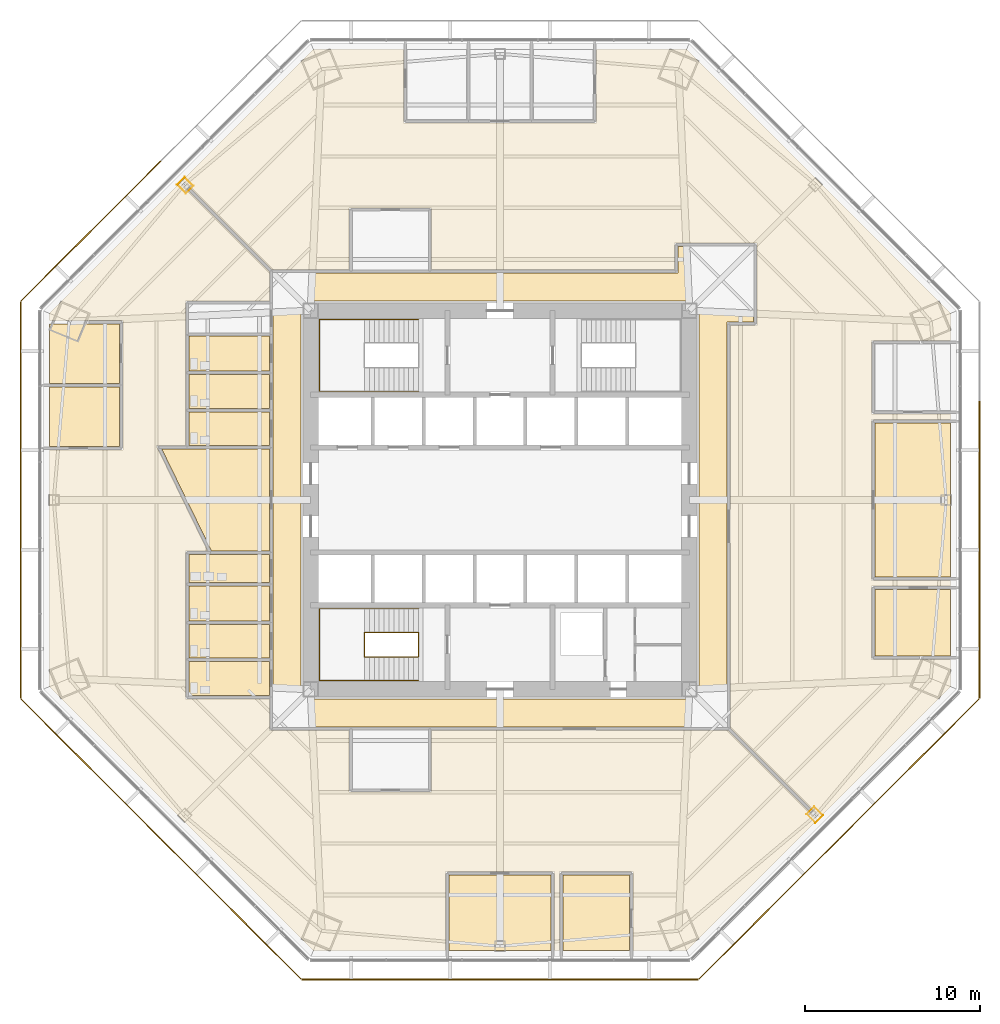
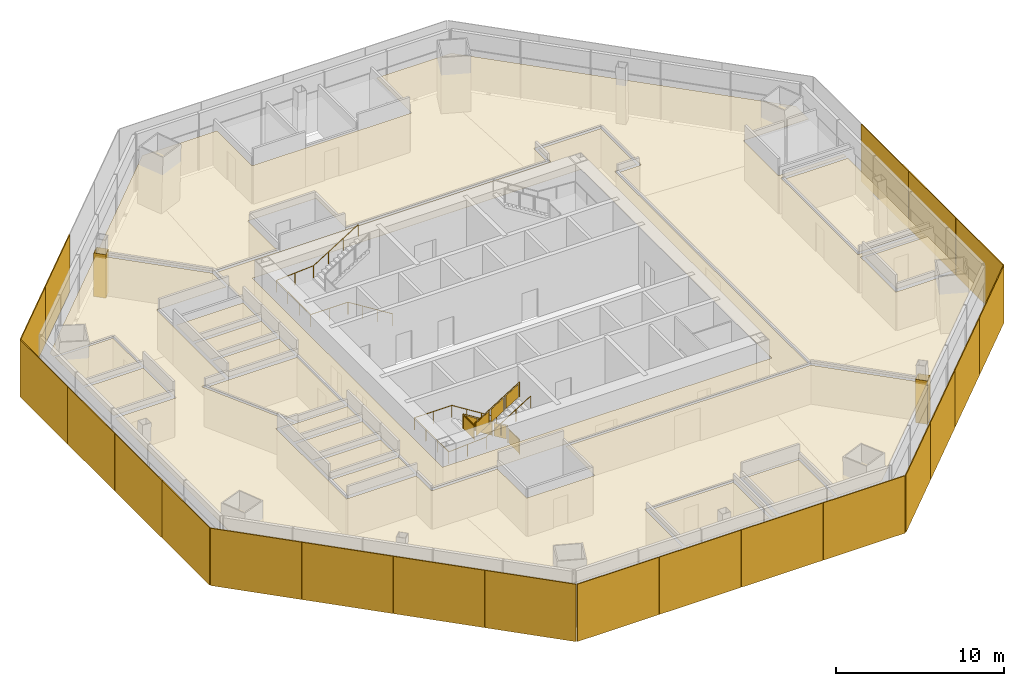
# One storey, part 13 of 15: 21 shading devices, 19 coverings, 3 railings.
"""IFC4 building model written with IfcOpenShell, lengths in metres."""

from ifc_helpers import new_model, si_unit, direction, frame, origin, origin_2d, place, context, subcontext, project, spatial, polyline, rectangle, circle, outline, extrude, source, transform, mapped, material, layer, layer_set, type_object, type_shapes, element, save


model = new_model("IFC4")

# Units and contexts
model_context = context("Model", 3, precision=1e-05, world=origin(), true_north=direction((0.0, 1.0)))
body_context = subcontext(model_context, "Body", "Model", "MODEL_VIEW")
ifc_project = project(units=[si_unit("LENGTHUNIT", "METRE"), si_unit("AREAUNIT", "SQUARE_METRE"), si_unit("VOLUMEUNIT", "CUBIC_METRE"), si_unit("PLANEANGLEUNIT", "RADIAN"), si_unit("MASSUNIT", "GRAM", prefix="KILO")], contexts=[model_context])

# Site, building, storey
site_placement = place(None, origin())
site = spatial("IfcSite", under=ifc_project, at=site_placement, CompositionType="ELEMENT")
building_placement = place(site_placement, origin())
building = spatial("IfcBuilding", under=site, at=building_placement, Name="Mashrafa Tower", CompositionType="ELEMENT")
storey_placement = place(building_placement, frame((0.0, 0.0, 62.39990234375)))
storey = spatial("IfcBuildingStorey", under=building, at=storey_placement, Name="L13", CompositionType="ELEMENT", Elevation=62.39990234375)

# Coverings
ifc_material_1 = material(Name="Gypsum board")
ifc_layer_1 = layer(ifc_material_1, 0.014892578125)
ifc_layer_set_1 = layer_set([ifc_layer_1], Name="Column casing plasterboard 15")
covering_type_1 = type_object("IfcCoveringType", Name="Column casing plasterboard 15", PredefinedType="CLADDING", material=ifc_layer_set_1)
covering_1_placement = place(storey_placement, origin())
element("IfcCovering", 1, at=covering_1_placement, inside=storey, type_object=covering_type_1, Name="Column casing L13-001", PredefinedType="CLADDING", context=body_context, shape_type="SweptSolid", body=[
    extrude(outline(polyline([(-18.441162109375, 17.99560546875), (-17.99560546875, 18.441162109375), (-17.4658203125, 17.911376953125), (-17.911376953125, 17.4658203125), (-18.441162109375, 17.99560546875)]), holes=[polyline([(-17.4873046875, 17.911376953125), (-17.99560546875, 18.419921875), (-18.419921875, 17.99560546875), (-17.911376953125, 17.4873046875), (-17.4873046875, 17.911376953125)])]), origin(), (0.0, 0.0, 1.0), 3.16650390625),
])
covering_2_placement = place(storey_placement, origin())
element("IfcCovering", 2, at=covering_2_placement, inside=storey, type_object=covering_type_1, Name="Column casing L13-002", PredefinedType="CLADDING", context=body_context, shape_type="SweptSolid", body=[
    extrude(outline(polyline([(17.4658203125, -17.911376953125), (17.911376953125, -17.4658203125), (18.441162109375, -17.99560546875), (17.99560546875, -18.441162109375), (17.4658203125, -17.911376953125)]), holes=[polyline([(18.419921875, -17.99560546875), (17.911376953125, -17.4873046875), (17.4873046875, -17.911376953125), (17.99560546875, -18.419921875), (18.419921875, -17.99560546875)])]), origin(), (0.0, 0.0, 1.0), 3.16650390625),
])

# Railings
ifc_material_2 = material(Name="Steel guard with glass infill", Category="steel")
railing_type_1 = type_object("IfcRailingType", Name="Stair guard 1100", PredefinedType="GUARDRAIL", material=ifc_material_2)
railing_1_placement = place(storey_placement, frame((-4.64990234375, -8.949951171875, 0.0)))
element("IfcRailing", 3, at=railing_1_placement, inside=storey, type_object=railing_type_1, Name="Stair S3 guard L13", PredefinedType="GUARDRAIL", context=body_context, shape_type="SweptSolid", body=[
    extrude(circle(Radius=0.02392578125, at=origin_2d()), frame((0.0, 0.0, 1.076171875), z_axis=(0.0, 1.0, 0.0), x_axis=(-1.0, 0.0, 0.0)), (0.0, 0.0, 1.0), 1.39990234375),
    extrude(circle(Radius=0.02392578125, at=origin_2d()), frame((0.0, 1.39990234375, 1.076171875), z_axis=(0.0, 0.0, 1.0), x_axis=(1.0, 0.0, 0.0)), (0.0, 0.0, 1.0), 0.175048828125),
    extrude(circle(Radius=0.02392578125, at=origin_2d()), frame((0.0, 1.39990234375, 1.2509765625), z_axis=(-0.847998304005, 0.0, 0.529998940003), x_axis=(0.0, -1.0, 0.0)), (0.0, 0.0, 1.0), 3.632080078125),
    extrude(circle(Radius=0.02392578125, at=origin_2d()), frame((-3.080078125, 1.39990234375, 3.17626953125), z_axis=(0.0, -1.0, 0.0), x_axis=(1.0, 0.0, 0.0)), (0.0, 0.0, 1.0), 1.39990234375),
    extrude(circle(Radius=0.02392578125, at=origin_2d()), frame((-3.080078125, 0.0, 3.17626953125), z_axis=(0.0, 0.0, 1.0), x_axis=(1.0, 0.0, 0.0)), (0.0, 0.0, 1.0), 0.175048828125),
    extrude(circle(Radius=0.02392578125, at=origin_2d()), frame((-3.080078125, 0.0, 3.35107421875), z_axis=(0.847998304005, 0.0, 0.529998940003), x_axis=(0.0, 1.0, 0.0)), (0.0, 0.0, 1.0), 3.632080078125),
    extrude(circle(Radius=0.02099609375, at=origin_2d()), origin(), (0.0, 0.0, 1.0), 1.052001953125),
    extrude(circle(Radius=0.02099609375, at=origin_2d()), frame((0.0, 1.39990234375, 0.0)), (0.0, 0.0, 1.0), 1.052001953125),
    extrude(circle(Radius=0.02099609375, at=origin_2d()), frame((0.0, 1.39990234375, 0.175048828125)), (0.0, 0.0, 1.0), 1.052001953125),
    extrude(circle(Radius=0.02099609375, at=origin_2d()), frame((-1.026611328125, 1.39990234375, 0.816650390625)), (0.0, 0.0, 1.0), 1.052001953125),
    extrude(circle(Radius=0.02099609375, at=origin_2d()), frame((-2.053466796875, 1.39990234375, 1.45849609375)), (0.0, 0.0, 1.0), 1.052001953125),
    extrude(circle(Radius=0.02099609375, at=origin_2d()), frame((-3.080078125, 1.39990234375, 2.10009765625)), (0.0, 0.0, 1.0), 1.052001953125),
    extrude(circle(Radius=0.02099609375, at=origin_2d()), frame((-3.080078125, 0.0, 2.10009765625)), (0.0, 0.0, 1.0), 1.052001953125),
    extrude(circle(Radius=0.02099609375, at=origin_2d()), frame((-3.080078125, 0.0, 2.275146484375)), (0.0, 0.0, 1.0), 1.052001953125),
    extrude(circle(Radius=0.02099609375, at=origin_2d()), frame((-2.053466796875, 0.0, 2.916748046875)), (0.0, 0.0, 1.0), 1.052001953125),
    extrude(circle(Radius=0.02099609375, at=origin_2d()), frame((-1.026611328125, 0.0, 3.55859375)), (0.0, 0.0, 1.0), 1.052001953125),
    extrude(circle(Radius=0.02099609375, at=origin_2d()), frame((0.0, 0.0, 4.2001953125)), (0.0, 0.0, 1.0), 1.052001953125),
    extrude(outline(polyline([(0.071044921875, 0.050048828125), (1.328857421875, 0.050048828125), (1.328857421875, 1.001953125), (0.071044921875, 1.001953125), (0.071044921875, 0.050048828125)])), frame((0.006103515625, 0.0, 0.0), z_axis=(1.0, 0.0, 0.0), x_axis=(0.0, 1.0, 0.0)), (0.0, 0.0, 1.0), 0.011962890625),
    extrude(outline(polyline([(0.071044921875, 0.094482421875), (0.955810546875, 0.647216796875), (0.955810546875, 1.599365234375), (0.071044921875, 1.04638671875), (0.071044921875, 0.094482421875)])), frame((0.0, 1.406005859375, 0.175048828125), z_axis=(0.0, 1.0, 0.0), x_axis=(-1.0, 0.0, 0.0)), (0.0, 0.0, 1.0), 0.011962890625),
    extrude(outline(polyline([(1.09765625, 0.736083984375), (1.982421875, 1.2890625), (1.982421875, 2.240966796875), (1.09765625, 1.68798828125), (1.09765625, 0.736083984375)])), frame((0.0, 1.406005859375, 0.175048828125), z_axis=(0.0, 1.0, 0.0), x_axis=(-1.0, 0.0, 0.0)), (0.0, 0.0, 1.0), 0.011962890625),
    extrude(outline(polyline([(2.124267578125, 1.377685546875), (3.009033203125, 1.9306640625), (3.009033203125, 2.882568359375), (2.124267578125, 2.329833984375), (2.124267578125, 1.377685546875)])), frame((0.0, 1.406005859375, 0.175048828125), z_axis=(0.0, 1.0, 0.0), x_axis=(-1.0, 0.0, 0.0)), (0.0, 0.0, 1.0), 0.011962890625),
    extrude(outline(polyline([(0.071044921875, 0.050048828125), (1.328857421875, 0.050048828125), (1.328857421875, 1.001953125), (0.071044921875, 1.001953125), (0.071044921875, 0.050048828125)])), frame((-3.086181640625, 1.39990234375, 2.10009765625), z_axis=(-1.0, 0.0, 0.0), x_axis=(0.0, -1.0, 0.0)), (0.0, 0.0, 1.0), 0.011962890625),
    extrude(outline(polyline([(0.071044921875, 0.094482421875), (0.955810546875, 0.647216796875), (0.955810546875, 1.599365234375), (0.071044921875, 1.04638671875), (0.071044921875, 0.094482421875)])), frame((-3.080078125, -0.006103515625, 2.275146484375), z_axis=(0.0, -1.0, 0.0), x_axis=(1.0, 0.0, 0.0)), (0.0, 0.0, 1.0), 0.011962890625),
    extrude(outline(polyline([(1.09765625, 0.736083984375), (1.982421875, 1.2890625), (1.982421875, 2.240966796875), (1.09765625, 1.68798828125), (1.09765625, 0.736083984375)])), frame((-3.080078125, -0.006103515625, 2.275146484375), z_axis=(0.0, -1.0, 0.0), x_axis=(1.0, 0.0, 0.0)), (0.0, 0.0, 1.0), 0.011962890625),
    extrude(outline(polyline([(2.124267578125, 1.377685546875), (3.009033203125, 1.9306640625), (3.009033203125, 2.882568359375), (2.124267578125, 2.329833984375), (2.124267578125, 1.377685546875)])), frame((-3.080078125, -0.006103515625, 2.275146484375), z_axis=(0.0, -1.0, 0.0), x_axis=(1.0, 0.0, 0.0)), (0.0, 0.0, 1.0), 0.011962890625),
])
ifc_material_3 = material(Name="Steel", Category="steel")
railing_type_2 = type_object("IfcRailingType", Name="Stair handrail 900", PredefinedType="HANDRAIL", material=ifc_material_3)
railing_2_placement = place(storey_placement, frame((-4.64990234375, 6.199951171875, 0.175048828125)))
element("IfcRailing", 4, at=railing_2_placement, inside=storey, type_object=railing_type_2, Name="Stair S1 handrail L13", PredefinedType="HANDRAIL", context=body_context, shape_type="SweptSolid", body=[
    extrude(circle(Radius=0.02392578125, at=origin_2d()), frame((0.0, 0.0, 0.8759765625), z_axis=(-0.847998304005, 0.0, 0.529998940003), x_axis=(0.0, -1.0, 0.0)), (0.0, 0.0, 1.0), 3.632080078125),
    extrude(circle(Radius=0.02392578125, at=origin_2d()), frame((-3.080078125, 0.0, 2.80078125), z_axis=(-1.0, 0.0, 0.0), x_axis=(0.0, -1.0, 0.0)), (0.0, 0.0, 1.0), 2.570068359375),
    extrude(circle(Radius=0.02392578125, at=origin_2d()), frame((-5.650146484375, 0.0, 2.80078125), z_axis=(0.0, 1.0, 0.0), x_axis=(-1.0, 0.0, 0.0)), (0.0, 0.0, 1.0), 4.10009765625),
    extrude(circle(Radius=0.02392578125, at=origin_2d()), frame((-5.650146484375, 4.10009765625, 2.80078125), z_axis=(0.997688514158, 0.0, 0.067953136188), x_axis=(0.0, 1.0, 0.0)), (0.0, 0.0, 1.0), 2.575927734375),
    extrude(circle(Radius=0.02392578125, at=origin_2d()), frame((-3.080078125, 4.10009765625, 2.97607421875), z_axis=(0.847998304005, 0.0, 0.529998940003), x_axis=(0.0, 1.0, 0.0)), (0.0, 0.0, 1.0), 3.632080078125),
    extrude(circle(Radius=0.02099609375, at=origin_2d()), origin(), (0.0, 0.0, 1.0), 0.851806640625),
    extrude(circle(Radius=0.02099609375, at=origin_2d()), frame((-1.026611328125, 0.0, 0.6416015625)), (0.0, 0.0, 1.0), 0.851806640625),
    extrude(circle(Radius=0.02099609375, at=origin_2d()), frame((-2.053466796875, 0.0, 1.283447265625)), (0.0, 0.0, 1.0), 0.851806640625),
    extrude(circle(Radius=0.02099609375, at=origin_2d()), frame((-3.080078125, 0.0, 1.925048828125)), (0.0, 0.0, 1.0), 0.851806640625),
    extrude(circle(Radius=0.02099609375, at=origin_2d()), frame((-4.365234375, 0.0, 1.925048828125)), (0.0, 0.0, 1.0), 0.851806640625),
    extrude(circle(Radius=0.02099609375, at=origin_2d()), frame((-5.650146484375, 0.0, 1.925048828125)), (0.0, 0.0, 1.0), 0.851806640625),
    extrude(circle(Radius=0.02099609375, at=origin_2d()), frame((-5.650146484375, 1.36669921875, 1.925048828125)), (0.0, 0.0, 1.0), 0.851806640625),
    extrude(circle(Radius=0.02099609375, at=origin_2d()), frame((-5.650146484375, 2.7333984375, 1.925048828125)), (0.0, 0.0, 1.0), 0.851806640625),
    extrude(circle(Radius=0.02099609375, at=origin_2d()), frame((-5.650146484375, 4.10009765625, 1.925048828125)), (0.0, 0.0, 1.0), 0.851806640625),
    extrude(circle(Radius=0.02099609375, at=origin_2d()), frame((-4.365234375, 4.10009765625, 2.0126953125)), (0.0, 0.0, 1.0), 0.851806640625),
    extrude(circle(Radius=0.02099609375, at=origin_2d()), frame((-3.080078125, 4.10009765625, 2.10009765625)), (0.0, 0.0, 1.0), 0.851806640625),
    extrude(circle(Radius=0.02099609375, at=origin_2d()), frame((-2.053466796875, 4.10009765625, 2.74169921875)), (0.0, 0.0, 1.0), 0.851806640625),
    extrude(circle(Radius=0.02099609375, at=origin_2d()), frame((-1.026611328125, 4.10009765625, 3.383544921875)), (0.0, 0.0, 1.0), 0.851806640625),
    extrude(circle(Radius=0.02099609375, at=origin_2d()), frame((0.0, 4.10009765625, 4.025146484375)), (0.0, 0.0, 1.0), 0.851806640625),
])
railing_3_placement = place(storey_placement, frame((-4.64990234375, -6.199951171875, 0.175048828125)))
element("IfcRailing", 5, at=railing_3_placement, inside=storey, type_object=railing_type_2, Name="Stair S3 handrail L13", PredefinedType="HANDRAIL", context=body_context, shape_type="SweptSolid", body=[
    extrude(circle(Radius=0.02392578125, at=origin_2d()), frame((0.0, 0.0, 0.8759765625), z_axis=(-0.847998304005, 0.0, 0.529998940003), x_axis=(0.0, -1.0, 0.0)), (0.0, 0.0, 1.0), 3.632080078125),
    extrude(circle(Radius=0.02392578125, at=origin_2d()), frame((-3.080078125, 0.0, 2.80078125), z_axis=(-1.0, 0.0, 0.0), x_axis=(0.0, -1.0, 0.0)), (0.0, 0.0, 1.0), 2.570068359375),
    extrude(circle(Radius=0.02392578125, at=origin_2d()), frame((-5.650146484375, 0.0, 2.80078125), z_axis=(0.0, -1.0, 0.0), x_axis=(1.0, 0.0, 0.0)), (0.0, 0.0, 1.0), 4.10009765625),
    extrude(circle(Radius=0.02392578125, at=origin_2d()), frame((-5.650146484375, -4.10009765625, 2.80078125), z_axis=(0.997688514158, 0.0, 0.067953136188), x_axis=(0.0, 1.0, 0.0)), (0.0, 0.0, 1.0), 2.575927734375),
    extrude(circle(Radius=0.02392578125, at=origin_2d()), frame((-3.080078125, -4.10009765625, 2.97607421875), z_axis=(0.847998304005, 0.0, 0.529998940003), x_axis=(0.0, 1.0, 0.0)), (0.0, 0.0, 1.0), 3.632080078125),
    extrude(circle(Radius=0.02099609375, at=origin_2d()), origin(), (0.0, 0.0, 1.0), 0.851806640625),
    extrude(circle(Radius=0.02099609375, at=origin_2d()), frame((-1.026611328125, 0.0, 0.6416015625)), (0.0, 0.0, 1.0), 0.851806640625),
    extrude(circle(Radius=0.02099609375, at=origin_2d()), frame((-2.053466796875, 0.0, 1.283447265625)), (0.0, 0.0, 1.0), 0.851806640625),
    extrude(circle(Radius=0.02099609375, at=origin_2d()), frame((-3.080078125, 0.0, 1.925048828125)), (0.0, 0.0, 1.0), 0.851806640625),
    extrude(circle(Radius=0.02099609375, at=origin_2d()), frame((-4.365234375, 0.0, 1.925048828125)), (0.0, 0.0, 1.0), 0.851806640625),
    extrude(circle(Radius=0.02099609375, at=origin_2d()), frame((-5.650146484375, 0.0, 1.925048828125)), (0.0, 0.0, 1.0), 0.851806640625),
    extrude(circle(Radius=0.02099609375, at=origin_2d()), frame((-5.650146484375, -1.36669921875, 1.925048828125)), (0.0, 0.0, 1.0), 0.851806640625),
    extrude(circle(Radius=0.02099609375, at=origin_2d()), frame((-5.650146484375, -2.7333984375, 1.925048828125)), (0.0, 0.0, 1.0), 0.851806640625),
    extrude(circle(Radius=0.02099609375, at=origin_2d()), frame((-5.650146484375, -4.10009765625, 1.925048828125)), (0.0, 0.0, 1.0), 0.851806640625),
    extrude(circle(Radius=0.02099609375, at=origin_2d()), frame((-4.365234375, -4.10009765625, 2.0126953125)), (0.0, 0.0, 1.0), 0.851806640625),
    extrude(circle(Radius=0.02099609375, at=origin_2d()), frame((-3.080078125, -4.10009765625, 2.10009765625)), (0.0, 0.0, 1.0), 0.851806640625),
    extrude(circle(Radius=0.02099609375, at=origin_2d()), frame((-2.053466796875, -4.10009765625, 2.74169921875)), (0.0, 0.0, 1.0), 0.851806640625),
    extrude(circle(Radius=0.02099609375, at=origin_2d()), frame((-1.026611328125, -4.10009765625, 3.383544921875)), (0.0, 0.0, 1.0), 0.851806640625),
    extrude(circle(Radius=0.02099609375, at=origin_2d()), frame((0.0, -4.10009765625, 4.025146484375)), (0.0, 0.0, 1.0), 0.851806640625),
])

# Coverings
ifc_material_4 = material(Name="Mineral fibre tile on suspension grid")
ifc_layer_2 = layer(ifc_material_4, 0.014892578125)
ifc_layer_set_2 = layer_set([ifc_layer_2], Name="Suspended ceiling mineral tile 15")
covering_type_2 = type_object("IfcCoveringType", Name="Suspended ceiling mineral tile 15", PredefinedType="CEILING", material=ifc_layer_set_2)
covering_3_placement = place(storey_placement, frame((0.0, 0.0, 2.85009765625)))
element("IfcCovering", 6, at=covering_3_placement, inside=storey, type_object=covering_type_2, Name="Ceiling Office Corridor L13", PredefinedType="CEILING", context=body_context, shape_type="SweptSolid", body=[
    extrude(outline(polyline([(-12.949951171875, -12.949951171875), (-12.949951171875, 12.949951171875), (10.14990234375, 12.949951171875), (10.14990234375, 14.449951171875), (14.449951171875, 14.449951171875), (14.449951171875, 10.14990234375), (12.949951171875, 10.14990234375), (12.949951171875, -12.949951171875), (-12.949951171875, -12.949951171875)]), holes=[polyline([(11.35009765625, 11.35009765625), (-11.35009765625, 11.35009765625), (-11.35009765625, -11.35009765625), (11.35009765625, -11.35009765625), (11.35009765625, 11.35009765625)])]), origin(), (0.0, 0.0, 1.0), 0.014892578125),
])
covering_4_placement = place(storey_placement, frame((0.0, 0.0, 2.900146484375)))
element("IfcCovering", 7, at=covering_4_placement, inside=storey, type_object=covering_type_2, Name="Ceiling WC Female L13 N", PredefinedType="CEILING", context=body_context, shape_type="SweptSolid", body=[
    extrude(outline(polyline([(-17.75, 3.10009765625), (-17.75, 5.02490234375), (-13.14990234375, 5.02490234375), (-13.14990234375, 3.10009765625), (-17.75, 3.10009765625)])), origin(), (0.0, 0.0, 1.0), 0.014892578125),
])
covering_5_placement = place(storey_placement, frame((0.0, 0.0, 2.900146484375)))
element("IfcCovering", 8, at=covering_5_placement, inside=storey, type_object=covering_type_2, Name="Ceiling WC Male L13 N", PredefinedType="CEILING", context=body_context, shape_type="SweptSolid", body=[
    extrude(outline(polyline([(-17.75, 5.22509765625), (-17.75, 7.14990234375), (-13.14990234375, 7.14990234375), (-13.14990234375, 5.22509765625), (-17.75, 5.22509765625)])), origin(), (0.0, 0.0, 1.0), 0.014892578125),
])
covering_6_placement = place(storey_placement, frame((0.0, 0.0, 2.900146484375)))
element("IfcCovering", 9, at=covering_6_placement, inside=storey, type_object=covering_type_2, Name="Ceiling Accessible WC L13 N", PredefinedType="CEILING", context=body_context, shape_type="SweptSolid", body=[
    extrude(outline(polyline([(-17.75, 7.35009765625), (-17.75, 9.35009765625), (-13.14990234375, 9.35009765625), (-13.14990234375, 7.35009765625), (-17.75, 7.35009765625)])), origin(), (0.0, 0.0, 1.0), 0.014892578125),
])
covering_7_placement = place(storey_placement, frame((0.0, 0.0, 2.900146484375)))
element("IfcCovering", 10, at=covering_7_placement, inside=storey, type_object=covering_type_2, Name="Ceiling WC Female L13 S", PredefinedType="CEILING", context=body_context, shape_type="SweptSolid", body=[
    extrude(outline(polyline([(-17.75, -11.14990234375), (-17.75, -9.22509765625), (-13.14990234375, -9.22509765625), (-13.14990234375, -11.14990234375), (-17.75, -11.14990234375)])), origin(), (0.0, 0.0, 1.0), 0.014892578125),
])
covering_8_placement = place(storey_placement, frame((0.0, 0.0, 2.900146484375)))
element("IfcCovering", 11, at=covering_8_placement, inside=storey, type_object=covering_type_2, Name="Ceiling WC Male L13 S", PredefinedType="CEILING", context=body_context, shape_type="SweptSolid", body=[
    extrude(outline(polyline([(-17.75, -9.02490234375), (-17.75, -7.10009765625), (-13.14990234375, -7.10009765625), (-13.14990234375, -9.02490234375), (-17.75, -9.02490234375)])), origin(), (0.0, 0.0, 1.0), 0.014892578125),
])
covering_9_placement = place(storey_placement, frame((0.0, 0.0, 2.900146484375)))
element("IfcCovering", 12, at=covering_9_placement, inside=storey, type_object=covering_type_2, Name="Ceiling Accessible WC L13 S", PredefinedType="CEILING", context=body_context, shape_type="SweptSolid", body=[
    extrude(outline(polyline([(-17.75, -6.89990234375), (-17.75, -4.89990234375), (-13.14990234375, -4.89990234375), (-13.14990234375, -6.89990234375), (-17.75, -6.89990234375)])), origin(), (0.0, 0.0, 1.0), 0.014892578125),
])
covering_10_placement = place(storey_placement, frame((0.0, 0.0, 2.900146484375)))
element("IfcCovering", 13, at=covering_10_placement, inside=storey, type_object=covering_type_2, Name="Ceiling Ablution Room L13 S", PredefinedType="CEILING", context=body_context, shape_type="SweptSolid", body=[
    extrude(outline(polyline([(-17.75, -4.699951171875), (-17.75, -3.10009765625), (-13.14990234375, -3.10009765625), (-13.14990234375, -4.699951171875), (-17.75, -4.699951171875)])), origin(), (0.0, 0.0, 1.0), 0.014892578125),
])
covering_11_placement = place(storey_placement, frame((0.0, 0.0, 2.85009765625)))
element("IfcCovering", 14, at=covering_11_placement, inside=storey, type_object=covering_type_2, Name="Ceiling Musallah Prayer Room 13", PredefinedType="CEILING", context=body_context, shape_type="SweptSolid", body=[
    extrude(outline(polyline([(-16.461181640625, -2.89990234375), (-19.2900390625, 2.89990234375), (-13.14990234375, 2.89990234375), (-13.14990234375, -2.89990234375), (-16.461181640625, -2.89990234375)])), origin(), (0.0, 0.0, 1.0), 0.014892578125),
])
covering_12_placement = place(storey_placement, frame((0.0, 0.0, 2.85009765625)))
element("IfcCovering", 15, at=covering_12_placement, inside=storey, type_object=covering_type_2, Name="Ceiling Meeting Room 13-A", PredefinedType="CEILING", context=body_context, shape_type="SweptSolid", body=[
    extrude(outline(polyline([(21.3994140625, 4.39990234375), (25.699462890625, 4.39990234375), (25.699462890625, -4.39990234375), (21.3994140625, -4.39990234375), (21.3994140625, 4.39990234375)])), origin(), (0.0, 0.0, 1.0), 0.014892578125),
])
covering_13_placement = place(storey_placement, frame((0.0, 0.0, 2.85009765625)))
element("IfcCovering", 16, at=covering_13_placement, inside=storey, type_object=covering_type_2, Name="Ceiling Meeting Room 13-B", PredefinedType="CEILING", context=body_context, shape_type="SweptSolid", body=[
    extrude(outline(polyline([(-2.89990234375, -21.3994140625), (2.89990234375, -21.3994140625), (2.89990234375, -25.699462890625), (-2.89990234375, -25.699462890625), (-2.89990234375, -21.3994140625)])), origin(), (0.0, 0.0, 1.0), 0.014892578125),
])
covering_14_placement = place(storey_placement, frame((0.0, 0.0, 2.900146484375)))
element("IfcCovering", 17, at=covering_14_placement, inside=storey, type_object=covering_type_2, Name="Ceiling Office 13-B-1", PredefinedType="CEILING", context=body_context, shape_type="SweptSolid", body=[
    extrude(outline(polyline([(-21.699462890625, 10.052978515625), (-21.699462890625, 6.653076171875), (-25.699462890625, 6.653076171875), (-25.699462890625, 10.052978515625), (-21.699462890625, 10.052978515625)])), origin(), (0.0, 0.0, 1.0), 0.014892578125),
])
covering_15_placement = place(storey_placement, frame((0.0, 0.0, 2.900146484375)))
element("IfcCovering", 18, at=covering_15_placement, inside=storey, type_object=covering_type_2, Name="Ceiling Office 13-B-2", PredefinedType="CEILING", context=body_context, shape_type="SweptSolid", body=[
    extrude(outline(polyline([(-21.699462890625, 6.452880859375), (-21.699462890625, 3.052978515625), (-25.699462890625, 3.052978515625), (-25.699462890625, 6.452880859375), (-21.699462890625, 6.452880859375)])), origin(), (0.0, 0.0, 1.0), 0.014892578125),
])
covering_16_placement = place(storey_placement, frame((0.0, 0.0, 2.900146484375)))
element("IfcCovering", 19, at=covering_16_placement, inside=storey, type_object=covering_type_2, Name="Ceiling Project Meeting Room 13-A2", PredefinedType="CEILING", context=body_context, shape_type="SweptSolid", body=[
    extrude(outline(polyline([(21.3994140625, -5.10009765625), (25.699462890625, -5.10009765625), (25.699462890625, -8.89990234375), (21.3994140625, -8.89990234375), (21.3994140625, -5.10009765625)])), origin(), (0.0, 0.0, 1.0), 0.014892578125),
])
covering_17_placement = place(storey_placement, frame((0.0, 0.0, 2.900146484375)))
element("IfcCovering", 20, at=covering_17_placement, inside=storey, type_object=covering_type_2, Name="Ceiling Interview Room 13-B", PredefinedType="CEILING", context=body_context, shape_type="SweptSolid", body=[
    extrude(outline(polyline([(3.60009765625, -21.3994140625), (7.39990234375, -21.3994140625), (7.39990234375, -25.699462890625), (3.60009765625, -25.699462890625), (3.60009765625, -21.3994140625)])), origin(), (0.0, 0.0, 1.0), 0.014892578125),
])
covering_18_placement = place(storey_placement, frame((0.0, 0.0, 2.85009765625)))
element("IfcCovering", 21, at=covering_18_placement, inside=storey, type_object=covering_type_2, Name="Ceiling Office Tenancy 13-A", PredefinedType="CEILING", context=body_context, shape_type="SweptSolid", body=[
    extrude(outline(polyline([(-13.008544921875, 13.14990234375), (-18.1015625, 18.242919921875), (-10.64501953125, 25.699462890625), (-5.5, 25.699462890625), (-5.5, 21.49951171875), (5.5, 21.49951171875), (5.5, 25.699462890625), (10.64501953125, 25.699462890625), (25.699462890625, 10.64501953125), (25.699462890625, 9.10009765625), (21.199462890625, 9.10009765625), (21.199462890625, 4.89990234375), (25.699462890625, 4.89990234375), (25.699462890625, 4.60009765625), (21.199462890625, 4.60009765625), (21.199462890625, -4.60009765625), (25.699462890625, -4.60009765625), (25.699462890625, -4.89990234375), (21.199462890625, -4.89990234375), (21.199462890625, -9.10009765625), (25.699462890625, -9.10009765625), (25.699462890625, -10.64501953125), (18.242919921875, -18.1015625), (13.14990234375, -13.008544921875), (13.14990234375, 9.949951171875), (14.64990234375, 9.949951171875), (14.64990234375, 14.64990234375), (9.949951171875, 14.64990234375), (9.949951171875, 13.14990234375), (-3.89990234375, 13.14990234375), (-3.89990234375, 16.64990234375), (-8.60009765625, 16.64990234375), (-8.60009765625, 13.14990234375), (-13.008544921875, 13.14990234375)])), origin(), (0.0, 0.0, 1.0), 0.014892578125),
])
covering_19_placement = place(storey_placement, frame((0.0, 0.0, 2.85009765625)))
element("IfcCovering", 22, at=covering_19_placement, inside=storey, type_object=covering_type_2, Name="Ceiling Office Tenancy 13-B", PredefinedType="CEILING", context=body_context, shape_type="SweptSolid", body=[
    extrude(outline(polyline([(13.008544921875, -13.14990234375), (18.1015625, -18.242919921875), (10.64501953125, -25.699462890625), (7.60009765625, -25.699462890625), (7.60009765625, -21.199462890625), (3.39990234375, -21.199462890625), (3.39990234375, -25.699462890625), (3.10009765625, -25.699462890625), (3.10009765625, -21.199462890625), (-3.10009765625, -21.199462890625), (-3.10009765625, -25.699462890625), (-10.64501953125, -25.699462890625), (-25.699462890625, -10.64501953125), (-25.699462890625, 2.85302734375), (-21.49951171875, 2.85302734375), (-21.49951171875, 10.2529296875), (-25.699462890625, 10.2529296875), (-25.699462890625, 10.64501953125), (-18.242919921875, 18.1015625), (-13.14990234375, 13.008544921875), (-13.14990234375, 11.35009765625), (-17.949951171875, 11.35009765625), (-17.949951171875, 3.10009765625), (-19.610107421875, 3.10009765625), (-16.68359375, -2.89990234375), (-17.949951171875, -2.89990234375), (-17.949951171875, -11.35009765625), (-13.14990234375, -11.35009765625), (-13.14990234375, -13.14990234375), (-8.60009765625, -13.14990234375), (-8.60009765625, -16.64990234375), (-3.89990234375, -16.64990234375), (-3.89990234375, -13.14990234375), (13.008544921875, -13.14990234375)])), origin(), (0.0, 0.0, 1.0), 0.014892578125),
])

# Shading devices
ifc_material_5 = material(Name="Perforated aluminium plate, eight-point star pattern", Category="aluminium")
ifc_layer_3 = layer(ifc_material_5, 0.06005859375)
ifc_layer_set_3 = layer_set([ifc_layer_3], Name="Mashrabiya screen panel office zone 1, 45 percent open")
shading_device_type = type_object("IfcShadingDeviceType", Name="Mashrabiya screen panel office zone 1, 45 percent open", PredefinedType="SHUTTER", material=ifc_layer_set_3)
shared_shape = source(origin(), body_context, "Body", "SweptSolid", [
    extrude(rectangle(XDim=5.633056640625, YDim=0.06005859375, at=origin_2d()), origin(), (0.0, 0.0, 1.0), 4.179931640625),
])
type_shapes(shading_device_type, [shared_shape])
for number, where, z_axis, x_axis, name in (
    (23, (27.349609375, -8.4794921875, -0.14990234375), (0.0, 0.0, 1.0), (0.0, 1.0, 0.0), "Mashrabiya screen L13 east 1"),
    (24, (27.349609375, -2.826416015625, -0.14990234375), (0.0, 0.0, 1.0), (0.0, 1.0, 0.0), "Mashrabiya screen L13 east 2"),
    (25, (27.349609375, 2.826416015625, -0.14990234375), (0.0, 0.0, 1.0), (0.0, 1.0, 0.0), "Mashrabiya screen L13 east 3"),
    (26, (-21.337646484375, 17.34033203125, -0.14990234375), (0.0, 0.0, 1.0), (-0.707106781187, -0.707106781187, 0.0), "Mashrabiya screen L13 north-west 3"),
    (27, (-25.3349609375, 13.343017578125, -0.14990234375), (0.0, 0.0, 1.0), (-0.707106781187, -0.707106781187, 0.0), "Mashrabiya screen L13 north-west 4"),
    (28, (-27.349609375, 8.4794921875, -0.14990234375), (0.0, 0.0, 1.0), (0.0, -1.0, 0.0), "Mashrabiya screen L13 west 1"),
    (29, (-27.349609375, 2.826416015625, -0.14990234375), (0.0, 0.0, 1.0), (0.0, -1.0, 0.0), "Mashrabiya screen L13 west 2"),
    (30, (-27.349609375, -2.826416015625, -0.14990234375), (0.0, 0.0, 1.0), (0.0, -1.0, 0.0), "Mashrabiya screen L13 west 3"),
    (31, (-27.349609375, -8.4794921875, -0.14990234375), (0.0, 0.0, 1.0), (0.0, -1.0, 0.0), "Mashrabiya screen L13 west 4"),
    (32, (-25.3349609375, -13.343017578125, -0.14990234375), (0.0, 0.0, 1.0), (0.707106781187, -0.707106781187, 0.0), "Mashrabiya screen L13 south-west 1"),
    (33, (-21.337646484375, -17.34033203125, -0.14990234375), (0.0, 0.0, 1.0), (0.707106781187, -0.707106781187, 0.0), "Mashrabiya screen L13 south-west 2"),
    (34, (-17.34033203125, -21.337646484375, -0.14990234375), (0.0, 0.0, 1.0), (0.707106781187, -0.707106781187, 0.0), "Mashrabiya screen L13 south-west 3"),
    (35, (-13.343017578125, -25.3349609375, -0.14990234375), (0.0, 0.0, 1.0), (0.707106781187, -0.707106781187, 0.0), "Mashrabiya screen L13 south-west 4"),
    (36, (-8.4794921875, -27.349609375, -0.14990234375), (0.0, 0.0, 1.0), (1.0, 0.0, 0.0), "Mashrabiya screen L13 south 1"),
    (37, (-2.826416015625, -27.349609375, -0.14990234375), (0.0, 0.0, 1.0), (1.0, 0.0, 0.0), "Mashrabiya screen L13 south 2"),
    (38, (2.826416015625, -27.349609375, -0.14990234375), (0.0, 0.0, 1.0), (1.0, 0.0, 0.0), "Mashrabiya screen L13 south 3"),
    (39, (8.4794921875, -27.349609375, -0.14990234375), (0.0, 0.0, 1.0), (1.0, 0.0, 0.0), "Mashrabiya screen L13 south 4"),
    (40, (13.343017578125, -25.3349609375, -0.14990234375), (0.0, 0.0, 1.0), (0.707106781187, 0.707106781187, 0.0), "Mashrabiya screen L13 south-east 1"),
    (41, (17.34033203125, -21.337646484375, -0.14990234375), (0.0, 0.0, 1.0), (0.707106781187, 0.707106781187, 0.0), "Mashrabiya screen L13 south-east 2"),
    (42, (21.337646484375, -17.34033203125, -0.14990234375), (0.0, 0.0, 1.0), (0.707106781187, 0.707106781187, 0.0), "Mashrabiya screen L13 south-east 3"),
    (43, (25.3349609375, -13.343017578125, -0.14990234375), (0.0, 0.0, 1.0), (0.707106781187, 0.707106781187, 0.0), "Mashrabiya screen L13 south-east 4"),
):
    element("IfcShadingDevice", number, at=place(storey_placement, frame(where, z_axis=z_axis, x_axis=x_axis)), inside=storey, type_object=shading_device_type, Name=name, PredefinedType="SHUTTER", context=body_context, shape_type="MappedRepresentation", body=[
        mapped(shared_shape, transform((0.0, 0.0, 0.0))),
    ])

save(model, "model.ifc")
